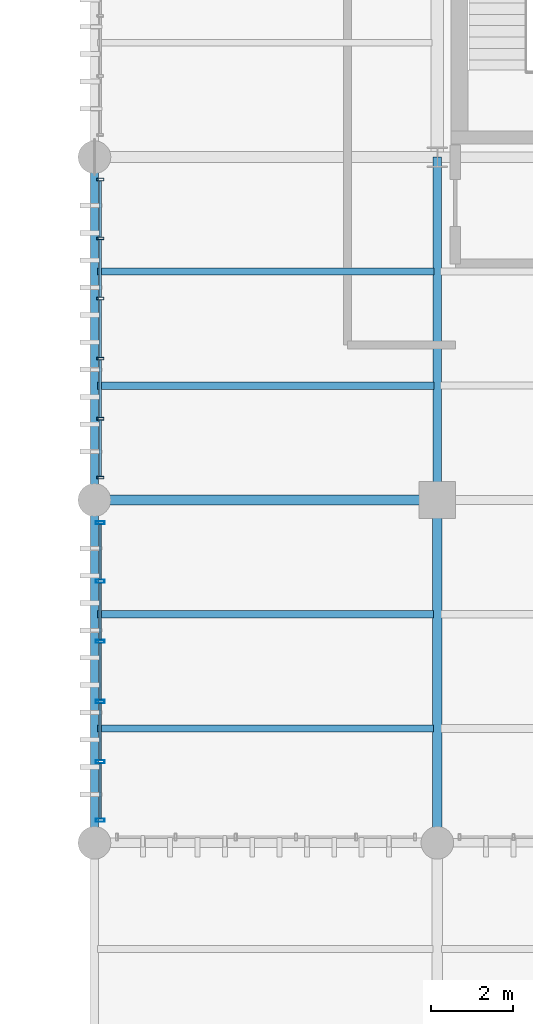
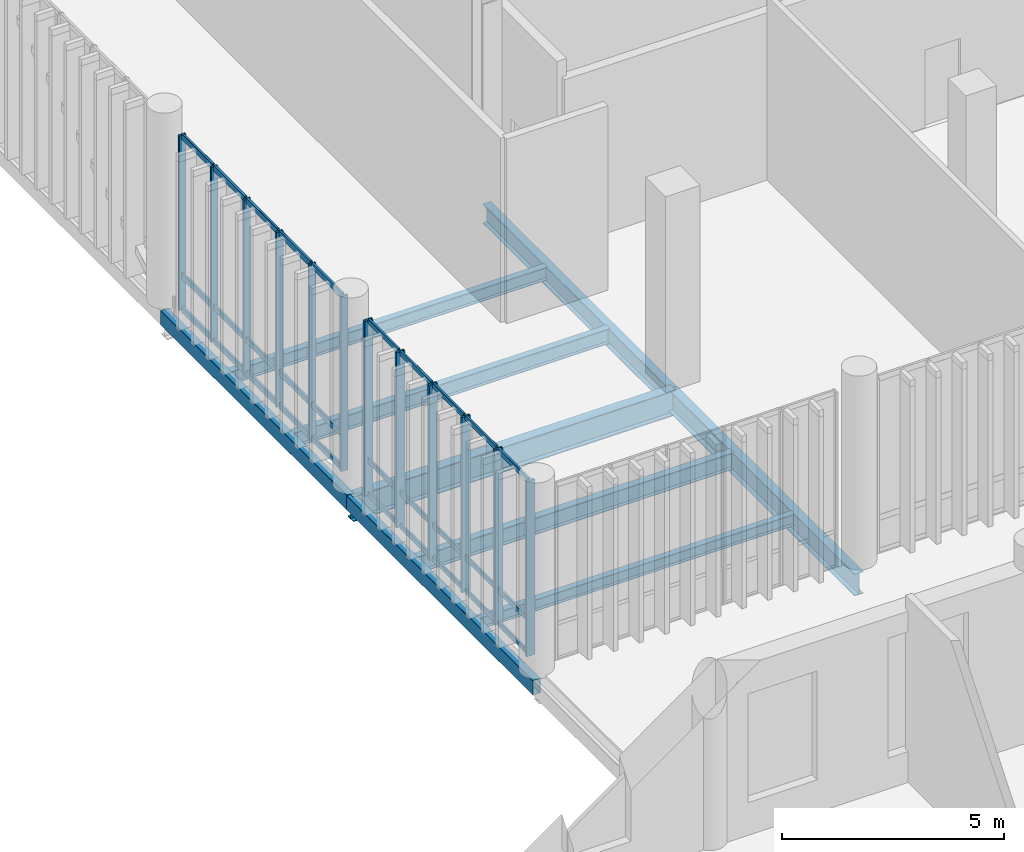
# One storey, part 78 of 128: 42 members, 9 beams, 2 elements without a shape of their own.
"""IFC4 building model written with IfcOpenShell, lengths in metres."""

from ifc_helpers import new_model, si_unit, direction, frame, origin_with_axes, origin_2d_with_axis, place, context, subcontext, project, spatial, hollow_rectangle, i_section, extrude, material, material_profile, profile_set, type_object, element, aggregate, save


model = new_model("IFC4")

# Units and contexts
model_context = context("Model", 3, precision=1e-05, world=origin_with_axes(), true_north=direction((0.0, 1.0)))
body_context = subcontext(model_context, "Body", "Model", "MODEL_VIEW")
ifc_project = project(units=[si_unit("LENGTHUNIT", "METRE"), si_unit("AREAUNIT", "SQUARE_METRE"), si_unit("VOLUMEUNIT", "CUBIC_METRE"), si_unit("PLANEANGLEUNIT", "RADIAN"), si_unit("MASSUNIT", "GRAM", prefix="KILO"), si_unit("THERMODYNAMICTEMPERATUREUNIT", "KELVIN")], contexts=[model_context])

# Site, building, storey
site_placement = place(None, origin_with_axes())
site = spatial("IfcSite", under=ifc_project, at=site_placement, CompositionType="ELEMENT")
building_placement = place(site_placement, origin_with_axes())
building = spatial("IfcBuilding", under=site, at=building_placement, Name="Montbau Bow Law Courts", CompositionType="ELEMENT")
storey_placement = place(building_placement, frame((0.0, 0.0, 5.4), z_axis=(0.0, 0.0, 1.0), x_axis=(1.0, 0.0, 0.0)))
storey = spatial("IfcBuildingStorey", under=building, at=storey_placement, Name="L01", CompositionType="ELEMENT", Elevation=5.4)

# Beams
ifc_material_1 = material(Name="Steel CSA G40.21 Grade 350W (350 MPa)", Category="steel")
ifc_material_profile_1 = material_profile(ifc_material_1, i_section(OverallWidth=0.254, OverallDepth=0.688, WebThickness=0.0131, FlangeThickness=0.0211, at=origin_2d_with_axis()), Name="W690X152", Category="Main", Priority=0)
ifc_profile_set_1 = profile_set([ifc_material_profile_1], Name="Steel CSA G40.21 Grade 350W (350 MPa)")
beam_type_1 = type_object("IfcBeamType", Name="B-FLR-04", PredefinedType="BEAM", material=ifc_profile_set_1)
beam_1_placement = place(None, frame((138.6, 78.0, 4.776), z_axis=(1.0, 0.0, 0.0), x_axis=(0.0, 1.0, 0.0)))
element("IfcBeam", 1, at=beam_1_placement, inside=storey, type_object=beam_type_1, Name="BM-L01-S1106:bm2_1109", PredefinedType="BEAM", context=body_context, shape_type="SweptSolid", body=[
    extrude(i_section(OverallWidth=0.254, OverallDepth=0.688, WebThickness=0.0131, FlangeThickness=0.0211, at=origin_2d_with_axis()), origin_with_axes(), (0.0, 0.0, 1.0), 8.4),
])
ifc_material_profile_2 = material_profile(ifc_material_1, i_section(OverallWidth=0.229, OverallDepth=0.612, WebThickness=0.0119, FlangeThickness=0.0196, at=origin_2d_with_axis()), Name="W610X125", Category="Main", Priority=0)
ifc_profile_set_2 = profile_set([ifc_material_profile_2], Name="Steel CSA G40.21 Grade 350W (350 MPa)")
beam_type_2 = type_object("IfcBeamType", Name="B-FLR-05", PredefinedType="BEAM", material=ifc_profile_set_2)
beam_2_placement = place(None, frame((147.0, 69.6, 4.804), z_axis=(0.0, 1.0, 0.0), x_axis=(-1.0, 0.0, 0.0)))
element("IfcBeam", 2, at=beam_2_placement, inside=storey, type_object=beam_type_2, Name="BM-L01-S1138:bm2_1141", PredefinedType="BEAM", context=body_context, shape_type="SweptSolid", body=[
    extrude(i_section(OverallWidth=0.229, OverallDepth=0.612, WebThickness=0.0119, FlangeThickness=0.0196, at=origin_2d_with_axis()), origin_with_axes(), (0.0, 0.0, 1.0), 8.4),
])
ifc_material_profile_3 = material_profile(ifc_material_1, i_section(OverallWidth=0.21, OverallDepth=0.537, WebThickness=0.0109, FlangeThickness=0.0174, at=origin_2d_with_axis()), Name="W530X101", Category="Main", Priority=0)
ifc_profile_set_3 = profile_set([ifc_material_profile_3], Name="Steel CSA G40.21 Grade 350W (350 MPa)")
beam_type_3 = type_object("IfcBeamType", Name="B-FLR-06", PredefinedType="BEAM", material=ifc_profile_set_3)
beam_3_placement = place(None, frame((147.0, 78.0, 4.851), z_axis=(0.0, 1.0, 0.0), x_axis=(-1.0, 0.0, 0.0)))
element("IfcBeam", 3, at=beam_3_placement, inside=storey, type_object=beam_type_3, Name="BM-L01-S1139:bm2_1142", PredefinedType="BEAM", context=body_context, shape_type="SweptSolid", body=[
    extrude(i_section(OverallWidth=0.21, OverallDepth=0.537, WebThickness=0.0109, FlangeThickness=0.0174, at=origin_2d_with_axis()), origin_with_axes(), (0.0, 0.0, 1.0), 8.4),
])
ifc_material_profile_4 = material_profile(ifc_material_1, i_section(OverallWidth=0.191, OverallDepth=0.46, WebThickness=0.0099, FlangeThickness=0.016, at=origin_2d_with_axis()), Name="W460X82", Category="Main", Priority=0)
ifc_profile_set_4 = profile_set([ifc_material_profile_4], Name="Steel CSA G40.21 Grade 350W (350 MPa)")
beam_type_4 = type_object("IfcBeamType", Name="B-JST-01", PredefinedType="JOIST", material=ifc_profile_set_4)
beam_4_placement = place(None, frame((138.68, 75.2, 4.88), z_axis=(1.0, 0.0, 0.0), x_axis=(0.0, 1.0, 0.0)))
element("IfcBeam", 4, at=beam_4_placement, inside=storey, type_object=beam_type_4, Name="JST-L01-S0564:jst2_0564", PredefinedType="JOIST", context=body_context, shape_type="SweptSolid", body=[
    extrude(i_section(OverallWidth=0.191, OverallDepth=0.46, WebThickness=0.0099, FlangeThickness=0.016, at=origin_2d_with_axis()), origin_with_axes(), (0.0, 0.0, 1.0), 8.23),
])
ifc_material_profile_5 = material_profile(ifc_material_1, i_section(OverallWidth=0.179, OverallDepth=0.41, WebThickness=0.0088, FlangeThickness=0.0144, at=origin_2d_with_axis()), Name="W410X67", Category="Main", Priority=0)
ifc_profile_set_5 = profile_set([ifc_material_profile_5], Name="Steel CSA G40.21 Grade 350W (350 MPa)")
beam_type_5 = type_object("IfcBeamType", Name="B-JST-02", PredefinedType="JOIST", material=ifc_profile_set_5)
beam_5_placement = place(None, frame((138.68, 80.8, 4.915), z_axis=(1.0, 0.0, 0.0), x_axis=(0.0, 1.0, 0.0)))
element("IfcBeam", 5, at=beam_5_placement, inside=storey, type_object=beam_type_5, Name="JST-L01-S0565:jst2_0565", PredefinedType="JOIST", context=body_context, shape_type="SweptSolid", body=[
    extrude(i_section(OverallWidth=0.179, OverallDepth=0.41, WebThickness=0.0088, FlangeThickness=0.0144, at=origin_2d_with_axis()), origin_with_axes(), (0.0, 0.0, 1.0), 8.239),
])
ifc_material_profile_6 = material_profile(ifc_material_1, i_section(OverallWidth=0.172, OverallDepth=0.358, WebThickness=0.0079, FlangeThickness=0.0131, at=origin_2d_with_axis()), Name="W360X57", Category="Main", Priority=0)
ifc_profile_set_6 = profile_set([ifc_material_profile_6], Name="Steel CSA G40.21 Grade 350W (350 MPa)")
beam_type_6 = type_object("IfcBeamType", Name="B-JST-03", PredefinedType="JOIST", material=ifc_profile_set_6)
beam_6_placement = place(None, frame((138.68, 83.6, 4.941), z_axis=(1.0, 0.0, 0.0), x_axis=(0.0, 1.0, 0.0)))
element("IfcBeam", 6, at=beam_6_placement, inside=storey, type_object=beam_type_6, Name="JST-L01-S0566:jst2_0566", PredefinedType="JOIST", context=body_context, shape_type="SweptSolid", body=[
    extrude(i_section(OverallWidth=0.172, OverallDepth=0.358, WebThickness=0.0079, FlangeThickness=0.0131, at=origin_2d_with_axis()), origin_with_axes(), (0.0, 0.0, 1.0), 8.239),
])
ifc_material_profile_7 = material_profile(ifc_material_1, i_section(OverallWidth=0.166, OverallDepth=0.313, WebThickness=0.0066, FlangeThickness=0.0112, at=origin_2d_with_axis()), Name="W310X45", Category="Main", Priority=0)
ifc_profile_set_7 = profile_set([ifc_material_profile_7], Name="Steel CSA G40.21 Grade 350W (350 MPa)")
beam_type_7 = type_object("IfcBeamType", Name="B-JST-04", PredefinedType="JOIST", material=ifc_profile_set_7)
beam_7_placement = place(None, frame((138.68, 72.4, 4.954), z_axis=(1.0, 0.0, 0.0), x_axis=(0.0, 1.0, 0.0)))
element("IfcBeam", 7, at=beam_7_placement, inside=storey, type_object=beam_type_7, Name="JST-L01-S0563:jst2_0563", PredefinedType="JOIST", context=body_context, shape_type="SweptSolid", body=[
    extrude(i_section(OverallWidth=0.166, OverallDepth=0.313, WebThickness=0.0066, FlangeThickness=0.0112, at=origin_2d_with_axis()), origin_with_axes(), (0.0, 0.0, 1.0), 8.23),
])
ifc_material_2 = material(Name="Steel CSA G40.21 Grade 350WT (350 MPa)", Category="steel")
ifc_material_profile_8 = material_profile(ifc_material_2, hollow_rectangle(XDim=0.203, YDim=0.406, WallThickness=0.0127, InnerFilletRadius=0.0254, OuterFilletRadius=0.0127, at=origin_2d_with_axis()), Name="HSS406X203X13", Category="Main", Priority=0)
ifc_profile_set_8 = profile_set([ifc_material_profile_8], Name="Steel CSA G40.21 Grade 350WT (350 MPa)")
beam_type_8 = type_object("IfcBeamType", Name="B-SPN-01", PredefinedType="SPANDREL", material=ifc_profile_set_8)
for number, where, z_axis, x_axis, name in (
    (8, (138.6, 69.6, 4.907), (0.0, 1.0, 0.0), (-1.0, 0.0, 0.0), "SPN-L01-S1131:bm2_1134"),
    (9, (138.6, 78.0, 4.917), (0.0, 1.0, 0.0), (-1.0, 0.0, 0.0), "SPN-L01-S1132:bm2_1135"),
):
    element("IfcBeam", number, at=place(None, frame(where, z_axis=z_axis, x_axis=x_axis)), inside=storey, type_object=beam_type_8, Name=name, PredefinedType="SPANDREL", context=body_context, shape_type="SweptSolid", body=[
        extrude(hollow_rectangle(XDim=0.203, YDim=0.406, WallThickness=0.0127, InnerFilletRadius=0.0254, OuterFilletRadius=0.0127, at=origin_2d_with_axis()), origin_with_axes(), (0.0, 0.0, 1.0), 8.4),
    ])

# Curtain wall, members
ifc_material_3 = material(Name="Thermally Broken Extruded Aluminium AA 6063-T6", Category="aluminium")
curtain_wall_type = type_object("IfcCurtainWallType", Name="CW-SLT-01", PredefinedType="NOTDEFINED", material=ifc_material_3)
curtain_wall_1_placement = place(None, frame((138.74, 70.115, 5.4), z_axis=(0.0, 0.0, 1.0), x_axis=(1.0, 0.0, 0.0)))
curtain_wall_1 = element("IfcCurtainWall", 10, at=curtain_wall_1_placement, inside=storey, type_object=curtain_wall_type, Name="CW-L01-285:cw_0285", PredefinedType="NOTDEFINED")
ifc_material_profile_9 = material_profile(ifc_material_3, hollow_rectangle(XDim=0.075, YDim=0.22, WallThickness=0.005, InnerFilletRadius=0.01, OuterFilletRadius=0.005, at=origin_2d_with_axis()), Name="CWM-220X75", Category="Main", Priority=0)
ifc_profile_set_9 = profile_set([ifc_material_profile_9], Name="Thermally Broken Extruded Aluminium AA 6063-T6")
member_type_1 = type_object("IfcMemberType", Name="M-MUL-01", PredefinedType="MULLION", material=ifc_profile_set_9)
member_1_placement = place(None, frame((138.74, 70.152, 5.4), z_axis=(0.0, 0.0, 1.0), x_axis=(0.0, 1.0, 0.0)))
member_1 = element("IfcMember", 11, at=member_1_placement, type_object=member_type_1, Name="CW-L01-285-M01:cw_0285_M01", PredefinedType="MULLION", context=body_context, shape_type="SweptSolid", body=[
    extrude(hollow_rectangle(XDim=0.075, YDim=0.22, WallThickness=0.005, InnerFilletRadius=0.01, OuterFilletRadius=0.005, at=origin_2d_with_axis()), origin_with_axes(), (0.0, 0.0, 1.0), 4.82),
])
member_2_placement = place(None, frame((138.74, 71.589, 5.4), z_axis=(0.0, 0.0, 1.0), x_axis=(0.0, 1.0, 0.0)))
member_2 = element("IfcMember", 12, at=member_2_placement, type_object=member_type_1, Name="CW-L01-285-M02:cw_0285_M02", PredefinedType="MULLION", context=body_context, shape_type="SweptSolid", body=[
    extrude(hollow_rectangle(XDim=0.075, YDim=0.22, WallThickness=0.005, InnerFilletRadius=0.01, OuterFilletRadius=0.005, at=origin_2d_with_axis()), origin_with_axes(), (0.0, 0.0, 1.0), 4.82),
])
member_3_placement = place(None, frame((138.74, 73.063, 5.4), z_axis=(0.0, 0.0, 1.0), x_axis=(0.0, 1.0, 0.0)))
member_3 = element("IfcMember", 13, at=member_3_placement, type_object=member_type_1, Name="CW-L01-285-M03:cw_0285_M03", PredefinedType="MULLION", context=body_context, shape_type="SweptSolid", body=[
    extrude(hollow_rectangle(XDim=0.075, YDim=0.22, WallThickness=0.005, InnerFilletRadius=0.01, OuterFilletRadius=0.005, at=origin_2d_with_axis()), origin_with_axes(), (0.0, 0.0, 1.0), 4.82),
])
member_4_placement = place(None, frame((138.74, 74.537, 5.4), z_axis=(0.0, 0.0, 1.0), x_axis=(0.0, 1.0, 0.0)))
member_4 = element("IfcMember", 14, at=member_4_placement, type_object=member_type_1, Name="CW-L01-285-M04:cw_0285_M04", PredefinedType="MULLION", context=body_context, shape_type="SweptSolid", body=[
    extrude(hollow_rectangle(XDim=0.075, YDim=0.22, WallThickness=0.005, InnerFilletRadius=0.01, OuterFilletRadius=0.005, at=origin_2d_with_axis()), origin_with_axes(), (0.0, 0.0, 1.0), 4.82),
])
member_5_placement = place(None, frame((138.74, 76.011, 5.4), z_axis=(0.0, 0.0, 1.0), x_axis=(0.0, 1.0, 0.0)))
member_5 = element("IfcMember", 15, at=member_5_placement, type_object=member_type_1, Name="CW-L01-285-M05:cw_0285_M05", PredefinedType="MULLION", context=body_context, shape_type="SweptSolid", body=[
    extrude(hollow_rectangle(XDim=0.075, YDim=0.22, WallThickness=0.005, InnerFilletRadius=0.01, OuterFilletRadius=0.005, at=origin_2d_with_axis()), origin_with_axes(), (0.0, 0.0, 1.0), 4.82),
])
member_6_placement = place(None, frame((138.74, 77.448, 5.4), z_axis=(0.0, 0.0, 1.0), x_axis=(0.0, 1.0, 0.0)))
member_6 = element("IfcMember", 16, at=member_6_placement, type_object=member_type_1, Name="CW-L01-285-M06:cw_0285_M06", PredefinedType="MULLION", context=body_context, shape_type="SweptSolid", body=[
    extrude(hollow_rectangle(XDim=0.075, YDim=0.22, WallThickness=0.005, InnerFilletRadius=0.01, OuterFilletRadius=0.005, at=origin_2d_with_axis()), origin_with_axes(), (0.0, 0.0, 1.0), 4.82),
])

curtain_wall_2_placement = place(None, frame((138.74, 78.515, 5.4), z_axis=(0.0, 0.0, 1.0), x_axis=(1.0, 0.0, 0.0)))
curtain_wall_2 = element("IfcCurtainWall", 17, at=curtain_wall_2_placement, inside=storey, type_object=curtain_wall_type, Name="CW-L01-286:cw_0286", PredefinedType="NOTDEFINED")
ifc_material_profile_10 = material_profile(ifc_material_3, hollow_rectangle(XDim=0.065, YDim=0.18, WallThickness=0.005, InnerFilletRadius=0.01, OuterFilletRadius=0.005, at=origin_2d_with_axis()), Name="CWM-180X65", Category="Main", Priority=0)
ifc_profile_set_10 = profile_set([ifc_material_profile_10], Name="Thermally Broken Extruded Aluminium AA 6063-T6")
member_type_2 = type_object("IfcMemberType", Name="M-MUL-02", PredefinedType="MULLION", material=ifc_profile_set_10)
member_7_placement = place(None, frame((138.74, 78.548, 5.4), z_axis=(0.0, 0.0, 1.0), x_axis=(0.0, 1.0, 0.0)))
member_7 = element("IfcMember", 18, at=member_7_placement, type_object=member_type_2, Name="CW-L01-286-M01:cw_0286_M01", PredefinedType="MULLION", context=body_context, shape_type="SweptSolid", body=[
    extrude(hollow_rectangle(XDim=0.065, YDim=0.18, WallThickness=0.005, InnerFilletRadius=0.01, OuterFilletRadius=0.005, at=origin_2d_with_axis()), origin_with_axes(), (0.0, 0.0, 1.0), 4.82),
])
member_8_placement = place(None, frame((138.74, 79.989, 5.4), z_axis=(0.0, 0.0, 1.0), x_axis=(0.0, 1.0, 0.0)))
member_8 = element("IfcMember", 19, at=member_8_placement, type_object=member_type_2, Name="CW-L01-286-M02:cw_0286_M02", PredefinedType="MULLION", context=body_context, shape_type="SweptSolid", body=[
    extrude(hollow_rectangle(XDim=0.065, YDim=0.18, WallThickness=0.005, InnerFilletRadius=0.01, OuterFilletRadius=0.005, at=origin_2d_with_axis()), origin_with_axes(), (0.0, 0.0, 1.0), 4.82),
])
member_9_placement = place(None, frame((138.74, 81.463, 5.4), z_axis=(0.0, 0.0, 1.0), x_axis=(0.0, 1.0, 0.0)))
member_9 = element("IfcMember", 20, at=member_9_placement, type_object=member_type_2, Name="CW-L01-286-M03:cw_0286_M03", PredefinedType="MULLION", context=body_context, shape_type="SweptSolid", body=[
    extrude(hollow_rectangle(XDim=0.065, YDim=0.18, WallThickness=0.005, InnerFilletRadius=0.01, OuterFilletRadius=0.005, at=origin_2d_with_axis()), origin_with_axes(), (0.0, 0.0, 1.0), 4.82),
])
member_10_placement = place(None, frame((138.74, 82.937, 5.4), z_axis=(0.0, 0.0, 1.0), x_axis=(0.0, 1.0, 0.0)))
member_10 = element("IfcMember", 21, at=member_10_placement, type_object=member_type_2, Name="CW-L01-286-M04:cw_0286_M04", PredefinedType="MULLION", context=body_context, shape_type="SweptSolid", body=[
    extrude(hollow_rectangle(XDim=0.065, YDim=0.18, WallThickness=0.005, InnerFilletRadius=0.01, OuterFilletRadius=0.005, at=origin_2d_with_axis()), origin_with_axes(), (0.0, 0.0, 1.0), 4.82),
])
member_11_placement = place(None, frame((138.74, 84.411, 5.4), z_axis=(0.0, 0.0, 1.0), x_axis=(0.0, 1.0, 0.0)))
member_11 = element("IfcMember", 22, at=member_11_placement, type_object=member_type_2, Name="CW-L01-286-M05:cw_0286_M05", PredefinedType="MULLION", context=body_context, shape_type="SweptSolid", body=[
    extrude(hollow_rectangle(XDim=0.065, YDim=0.18, WallThickness=0.005, InnerFilletRadius=0.01, OuterFilletRadius=0.005, at=origin_2d_with_axis()), origin_with_axes(), (0.0, 0.0, 1.0), 4.82),
])
member_12_placement = place(None, frame((138.74, 85.853, 5.4), z_axis=(0.0, 0.0, 1.0), x_axis=(0.0, 1.0, 0.0)))
member_12 = element("IfcMember", 23, at=member_12_placement, type_object=member_type_2, Name="CW-L01-286-M06:cw_0286_M06", PredefinedType="MULLION", context=body_context, shape_type="SweptSolid", body=[
    extrude(hollow_rectangle(XDim=0.065, YDim=0.18, WallThickness=0.005, InnerFilletRadius=0.01, OuterFilletRadius=0.005, at=origin_2d_with_axis()), origin_with_axes(), (0.0, 0.0, 1.0), 4.82),
])
ifc_material_profile_11 = material_profile(ifc_material_3, hollow_rectangle(XDim=0.06, YDim=0.16, WallThickness=0.004, InnerFilletRadius=0.008, OuterFilletRadius=0.004, at=origin_2d_with_axis()), Name="CWT-160X60", Category="Main", Priority=0)
ifc_profile_set_11 = profile_set([ifc_material_profile_11], Name="Thermally Broken Extruded Aluminium AA 6063-T6")
member_type_3 = type_object("IfcMemberType", Name="M-TRN-01", PredefinedType="USERDEFINED", material=ifc_profile_set_11)
member_13_placement = place(None, frame((138.74, 78.583, 5.43), z_axis=(0.0, 1.0, 0.0), x_axis=(-1.0, 0.0, 0.0)))
member_13 = element("IfcMember", 24, at=member_13_placement, type_object=member_type_3, Name="CW-L01-286-T01-1:cw_0286_T01_1", ObjectType="TRANSOM", PredefinedType="USERDEFINED", context=body_context, shape_type="SweptSolid", body=[
    extrude(hollow_rectangle(XDim=0.06, YDim=0.16, WallThickness=0.004, InnerFilletRadius=0.008, OuterFilletRadius=0.004, at=origin_2d_with_axis()), origin_with_axes(), (0.0, 0.0, 1.0), 1.372),
])
member_14_placement = place(None, frame((138.74, 78.583, 6.35), z_axis=(0.0, 1.0, 0.0), x_axis=(-1.0, 0.0, 0.0)))
member_14 = element("IfcMember", 25, at=member_14_placement, type_object=member_type_3, Name="CW-L01-286-T01-2:cw_0286_T01_2", ObjectType="TRANSOM", PredefinedType="USERDEFINED", context=body_context, shape_type="SweptSolid", body=[
    extrude(hollow_rectangle(XDim=0.06, YDim=0.16, WallThickness=0.004, InnerFilletRadius=0.008, OuterFilletRadius=0.004, at=origin_2d_with_axis()), origin_with_axes(), (0.0, 0.0, 1.0), 1.372),
])
member_15_placement = place(None, frame((138.74, 78.583, 10.19), z_axis=(0.0, 1.0, 0.0), x_axis=(-1.0, 0.0, 0.0)))
member_15 = element("IfcMember", 26, at=member_15_placement, type_object=member_type_3, Name="CW-L01-286-T01-3:cw_0286_T01_3", ObjectType="TRANSOM", PredefinedType="USERDEFINED", context=body_context, shape_type="SweptSolid", body=[
    extrude(hollow_rectangle(XDim=0.06, YDim=0.16, WallThickness=0.004, InnerFilletRadius=0.008, OuterFilletRadius=0.004, at=origin_2d_with_axis()), origin_with_axes(), (0.0, 0.0, 1.0), 1.372),
])
member_16_placement = place(None, frame((138.74, 80.023, 5.43), z_axis=(0.0, 1.0, 0.0), x_axis=(-1.0, 0.0, 0.0)))
member_16 = element("IfcMember", 27, at=member_16_placement, type_object=member_type_3, Name="CW-L01-286-T02-1:cw_0286_T02_1", ObjectType="TRANSOM", PredefinedType="USERDEFINED", context=body_context, shape_type="SweptSolid", body=[
    extrude(hollow_rectangle(XDim=0.06, YDim=0.16, WallThickness=0.004, InnerFilletRadius=0.008, OuterFilletRadius=0.004, at=origin_2d_with_axis()), origin_with_axes(), (0.0, 0.0, 1.0), 1.405),
])
member_17_placement = place(None, frame((138.74, 80.023, 6.35), z_axis=(0.0, 1.0, 0.0), x_axis=(-1.0, 0.0, 0.0)))
member_17 = element("IfcMember", 28, at=member_17_placement, type_object=member_type_3, Name="CW-L01-286-T02-2:cw_0286_T02_2", ObjectType="TRANSOM", PredefinedType="USERDEFINED", context=body_context, shape_type="SweptSolid", body=[
    extrude(hollow_rectangle(XDim=0.06, YDim=0.16, WallThickness=0.004, InnerFilletRadius=0.008, OuterFilletRadius=0.004, at=origin_2d_with_axis()), origin_with_axes(), (0.0, 0.0, 1.0), 1.405),
])
member_18_placement = place(None, frame((138.74, 80.023, 10.19), z_axis=(0.0, 1.0, 0.0), x_axis=(-1.0, 0.0, 0.0)))
member_18 = element("IfcMember", 29, at=member_18_placement, type_object=member_type_3, Name="CW-L01-286-T02-3:cw_0286_T02_3", ObjectType="TRANSOM", PredefinedType="USERDEFINED", context=body_context, shape_type="SweptSolid", body=[
    extrude(hollow_rectangle(XDim=0.06, YDim=0.16, WallThickness=0.004, InnerFilletRadius=0.008, OuterFilletRadius=0.004, at=origin_2d_with_axis()), origin_with_axes(), (0.0, 0.0, 1.0), 1.405),
])
member_19_placement = place(None, frame((138.74, 81.497, 5.43), z_axis=(0.0, 1.0, 0.0), x_axis=(-1.0, 0.0, 0.0)))
member_19 = element("IfcMember", 30, at=member_19_placement, type_object=member_type_3, Name="CW-L01-286-T03-1:cw_0286_T03_1", ObjectType="TRANSOM", PredefinedType="USERDEFINED", context=body_context, shape_type="SweptSolid", body=[
    extrude(hollow_rectangle(XDim=0.06, YDim=0.16, WallThickness=0.004, InnerFilletRadius=0.008, OuterFilletRadius=0.004, at=origin_2d_with_axis()), origin_with_axes(), (0.0, 0.0, 1.0), 1.406),
])
member_20_placement = place(None, frame((138.74, 81.497, 6.35), z_axis=(0.0, 1.0, 0.0), x_axis=(-1.0, 0.0, 0.0)))
member_20 = element("IfcMember", 31, at=member_20_placement, type_object=member_type_3, Name="CW-L01-286-T03-2:cw_0286_T03_2", ObjectType="TRANSOM", PredefinedType="USERDEFINED", context=body_context, shape_type="SweptSolid", body=[
    extrude(hollow_rectangle(XDim=0.06, YDim=0.16, WallThickness=0.004, InnerFilletRadius=0.008, OuterFilletRadius=0.004, at=origin_2d_with_axis()), origin_with_axes(), (0.0, 0.0, 1.0), 1.406),
])
member_21_placement = place(None, frame((138.74, 81.497, 10.19), z_axis=(0.0, 1.0, 0.0), x_axis=(-1.0, 0.0, 0.0)))
member_21 = element("IfcMember", 32, at=member_21_placement, type_object=member_type_3, Name="CW-L01-286-T03-3:cw_0286_T03_3", ObjectType="TRANSOM", PredefinedType="USERDEFINED", context=body_context, shape_type="SweptSolid", body=[
    extrude(hollow_rectangle(XDim=0.06, YDim=0.16, WallThickness=0.004, InnerFilletRadius=0.008, OuterFilletRadius=0.004, at=origin_2d_with_axis()), origin_with_axes(), (0.0, 0.0, 1.0), 1.406),
])
member_22_placement = place(None, frame((138.74, 82.971, 5.43), z_axis=(0.0, 1.0, 0.0), x_axis=(-1.0, 0.0, 0.0)))
member_22 = element("IfcMember", 33, at=member_22_placement, type_object=member_type_3, Name="CW-L01-286-T04-1:cw_0286_T04_1", ObjectType="TRANSOM", PredefinedType="USERDEFINED", context=body_context, shape_type="SweptSolid", body=[
    extrude(hollow_rectangle(XDim=0.06, YDim=0.16, WallThickness=0.004, InnerFilletRadius=0.008, OuterFilletRadius=0.004, at=origin_2d_with_axis()), origin_with_axes(), (0.0, 0.0, 1.0), 1.406),
])
member_23_placement = place(None, frame((138.74, 82.971, 6.35), z_axis=(0.0, 1.0, 0.0), x_axis=(-1.0, 0.0, 0.0)))
member_23 = element("IfcMember", 34, at=member_23_placement, type_object=member_type_3, Name="CW-L01-286-T04-2:cw_0286_T04_2", ObjectType="TRANSOM", PredefinedType="USERDEFINED", context=body_context, shape_type="SweptSolid", body=[
    extrude(hollow_rectangle(XDim=0.06, YDim=0.16, WallThickness=0.004, InnerFilletRadius=0.008, OuterFilletRadius=0.004, at=origin_2d_with_axis()), origin_with_axes(), (0.0, 0.0, 1.0), 1.406),
])
member_24_placement = place(None, frame((138.74, 82.971, 10.19), z_axis=(0.0, 1.0, 0.0), x_axis=(-1.0, 0.0, 0.0)))
member_24 = element("IfcMember", 35, at=member_24_placement, type_object=member_type_3, Name="CW-L01-286-T04-3:cw_0286_T04_3", ObjectType="TRANSOM", PredefinedType="USERDEFINED", context=body_context, shape_type="SweptSolid", body=[
    extrude(hollow_rectangle(XDim=0.06, YDim=0.16, WallThickness=0.004, InnerFilletRadius=0.008, OuterFilletRadius=0.004, at=origin_2d_with_axis()), origin_with_axes(), (0.0, 0.0, 1.0), 1.406),
])
member_25_placement = place(None, frame((138.74, 84.445, 5.43), z_axis=(0.0, 1.0, 0.0), x_axis=(-1.0, 0.0, 0.0)))
member_25 = element("IfcMember", 36, at=member_25_placement, type_object=member_type_3, Name="CW-L01-286-T05-1:cw_0286_T05_1", ObjectType="TRANSOM", PredefinedType="USERDEFINED", context=body_context, shape_type="SweptSolid", body=[
    extrude(hollow_rectangle(XDim=0.06, YDim=0.16, WallThickness=0.004, InnerFilletRadius=0.008, OuterFilletRadius=0.004, at=origin_2d_with_axis()), origin_with_axes(), (0.0, 0.0, 1.0), 1.374),
])
member_26_placement = place(None, frame((138.74, 84.445, 6.35), z_axis=(0.0, 1.0, 0.0), x_axis=(-1.0, 0.0, 0.0)))
member_26 = element("IfcMember", 37, at=member_26_placement, type_object=member_type_3, Name="CW-L01-286-T05-2:cw_0286_T05_2", ObjectType="TRANSOM", PredefinedType="USERDEFINED", context=body_context, shape_type="SweptSolid", body=[
    extrude(hollow_rectangle(XDim=0.06, YDim=0.16, WallThickness=0.004, InnerFilletRadius=0.008, OuterFilletRadius=0.004, at=origin_2d_with_axis()), origin_with_axes(), (0.0, 0.0, 1.0), 1.374),
])
member_27_placement = place(None, frame((138.74, 84.445, 10.19), z_axis=(0.0, 1.0, 0.0), x_axis=(-1.0, 0.0, 0.0)))
member_27 = element("IfcMember", 38, at=member_27_placement, type_object=member_type_3, Name="CW-L01-286-T05-3:cw_0286_T05_3", ObjectType="TRANSOM", PredefinedType="USERDEFINED", context=body_context, shape_type="SweptSolid", body=[
    extrude(hollow_rectangle(XDim=0.06, YDim=0.16, WallThickness=0.004, InnerFilletRadius=0.008, OuterFilletRadius=0.004, at=origin_2d_with_axis()), origin_with_axes(), (0.0, 0.0, 1.0), 1.374),
])
aggregate(curtain_wall_2, [member_7, member_8, member_9, member_10, member_11, member_12, member_13, member_14, member_15, member_16, member_17, member_18, member_19, member_20, member_21, member_22, member_23, member_24, member_25, member_26, member_27])

# Member
ifc_material_profile_12 = material_profile(ifc_material_3, hollow_rectangle(XDim=0.055, YDim=0.14, WallThickness=0.004, InnerFilletRadius=0.008, OuterFilletRadius=0.004, at=origin_2d_with_axis()), Name="CWT-140X55", Category="Main", Priority=0)
ifc_profile_set_12 = profile_set([ifc_material_profile_12], Name="Thermally Broken Extruded Aluminium AA 6063-T6")
member_type_4 = type_object("IfcMemberType", Name="M-TRN-02", PredefinedType="USERDEFINED", material=ifc_profile_set_12)
member_28_placement = place(None, frame((138.74, 70.191, 5.428), z_axis=(0.0, 1.0, 0.0), x_axis=(-1.0, 0.0, 0.0)))
member_28 = element("IfcMember", 39, at=member_28_placement, type_object=member_type_4, Name="CW-L01-285-T01-1:cw_0285_T01_1", ObjectType="TRANSOM", PredefinedType="USERDEFINED", context=body_context, shape_type="SweptSolid", body=[
    extrude(hollow_rectangle(XDim=0.055, YDim=0.14, WallThickness=0.004, InnerFilletRadius=0.008, OuterFilletRadius=0.004, at=origin_2d_with_axis()), origin_with_axes(), (0.0, 0.0, 1.0), 1.358),
])

member_29_placement = place(None, frame((138.74, 70.191, 6.35), z_axis=(0.0, 1.0, 0.0), x_axis=(-1.0, 0.0, 0.0)))
member_29 = element("IfcMember", 40, at=member_29_placement, type_object=member_type_4, Name="CW-L01-285-T01-2:cw_0285_T01_2", ObjectType="TRANSOM", PredefinedType="USERDEFINED", context=body_context, shape_type="SweptSolid", body=[
    extrude(hollow_rectangle(XDim=0.055, YDim=0.14, WallThickness=0.004, InnerFilletRadius=0.008, OuterFilletRadius=0.004, at=origin_2d_with_axis()), origin_with_axes(), (0.0, 0.0, 1.0), 1.358),
])

member_30_placement = place(None, frame((138.74, 70.191, 10.193), z_axis=(0.0, 1.0, 0.0), x_axis=(-1.0, 0.0, 0.0)))
member_30 = element("IfcMember", 41, at=member_30_placement, type_object=member_type_4, Name="CW-L01-285-T01-3:cw_0285_T01_3", ObjectType="TRANSOM", PredefinedType="USERDEFINED", context=body_context, shape_type="SweptSolid", body=[
    extrude(hollow_rectangle(XDim=0.055, YDim=0.14, WallThickness=0.004, InnerFilletRadius=0.008, OuterFilletRadius=0.004, at=origin_2d_with_axis()), origin_with_axes(), (0.0, 0.0, 1.0), 1.358),
])

member_31_placement = place(None, frame((138.74, 71.629, 5.428), z_axis=(0.0, 1.0, 0.0), x_axis=(-1.0, 0.0, 0.0)))
member_31 = element("IfcMember", 42, at=member_31_placement, type_object=member_type_4, Name="CW-L01-285-T02-1:cw_0285_T02_1", ObjectType="TRANSOM", PredefinedType="USERDEFINED", context=body_context, shape_type="SweptSolid", body=[
    extrude(hollow_rectangle(XDim=0.055, YDim=0.14, WallThickness=0.004, InnerFilletRadius=0.008, OuterFilletRadius=0.004, at=origin_2d_with_axis()), origin_with_axes(), (0.0, 0.0, 1.0), 1.395),
])

member_32_placement = place(None, frame((138.74, 71.629, 6.35), z_axis=(0.0, 1.0, 0.0), x_axis=(-1.0, 0.0, 0.0)))
member_32 = element("IfcMember", 43, at=member_32_placement, type_object=member_type_4, Name="CW-L01-285-T02-2:cw_0285_T02_2", ObjectType="TRANSOM", PredefinedType="USERDEFINED", context=body_context, shape_type="SweptSolid", body=[
    extrude(hollow_rectangle(XDim=0.055, YDim=0.14, WallThickness=0.004, InnerFilletRadius=0.008, OuterFilletRadius=0.004, at=origin_2d_with_axis()), origin_with_axes(), (0.0, 0.0, 1.0), 1.395),
])

member_33_placement = place(None, frame((138.74, 71.629, 10.193), z_axis=(0.0, 1.0, 0.0), x_axis=(-1.0, 0.0, 0.0)))
member_33 = element("IfcMember", 44, at=member_33_placement, type_object=member_type_4, Name="CW-L01-285-T02-3:cw_0285_T02_3", ObjectType="TRANSOM", PredefinedType="USERDEFINED", context=body_context, shape_type="SweptSolid", body=[
    extrude(hollow_rectangle(XDim=0.055, YDim=0.14, WallThickness=0.004, InnerFilletRadius=0.008, OuterFilletRadius=0.004, at=origin_2d_with_axis()), origin_with_axes(), (0.0, 0.0, 1.0), 1.395),
])

member_34_placement = place(None, frame((138.74, 73.102, 5.428), z_axis=(0.0, 1.0, 0.0), x_axis=(-1.0, 0.0, 0.0)))
member_34 = element("IfcMember", 45, at=member_34_placement, type_object=member_type_4, Name="CW-L01-285-T03-1:cw_0285_T03_1", ObjectType="TRANSOM", PredefinedType="USERDEFINED", context=body_context, shape_type="SweptSolid", body=[
    extrude(hollow_rectangle(XDim=0.055, YDim=0.14, WallThickness=0.004, InnerFilletRadius=0.008, OuterFilletRadius=0.004, at=origin_2d_with_axis()), origin_with_axes(), (0.0, 0.0, 1.0), 1.396),
])

member_35_placement = place(None, frame((138.74, 73.102, 6.35), z_axis=(0.0, 1.0, 0.0), x_axis=(-1.0, 0.0, 0.0)))
member_35 = element("IfcMember", 46, at=member_35_placement, type_object=member_type_4, Name="CW-L01-285-T03-2:cw_0285_T03_2", ObjectType="TRANSOM", PredefinedType="USERDEFINED", context=body_context, shape_type="SweptSolid", body=[
    extrude(hollow_rectangle(XDim=0.055, YDim=0.14, WallThickness=0.004, InnerFilletRadius=0.008, OuterFilletRadius=0.004, at=origin_2d_with_axis()), origin_with_axes(), (0.0, 0.0, 1.0), 1.396),
])

member_36_placement = place(None, frame((138.74, 73.102, 10.193), z_axis=(0.0, 1.0, 0.0), x_axis=(-1.0, 0.0, 0.0)))
member_36 = element("IfcMember", 47, at=member_36_placement, type_object=member_type_4, Name="CW-L01-285-T03-3:cw_0285_T03_3", ObjectType="TRANSOM", PredefinedType="USERDEFINED", context=body_context, shape_type="SweptSolid", body=[
    extrude(hollow_rectangle(XDim=0.055, YDim=0.14, WallThickness=0.004, InnerFilletRadius=0.008, OuterFilletRadius=0.004, at=origin_2d_with_axis()), origin_with_axes(), (0.0, 0.0, 1.0), 1.396),
])

member_37_placement = place(None, frame((138.74, 74.576, 5.428), z_axis=(0.0, 1.0, 0.0), x_axis=(-1.0, 0.0, 0.0)))
member_37 = element("IfcMember", 48, at=member_37_placement, type_object=member_type_4, Name="CW-L01-285-T04-1:cw_0285_T04_1", ObjectType="TRANSOM", PredefinedType="USERDEFINED", context=body_context, shape_type="SweptSolid", body=[
    extrude(hollow_rectangle(XDim=0.055, YDim=0.14, WallThickness=0.004, InnerFilletRadius=0.008, OuterFilletRadius=0.004, at=origin_2d_with_axis()), origin_with_axes(), (0.0, 0.0, 1.0), 1.396),
])

member_38_placement = place(None, frame((138.74, 74.576, 6.35), z_axis=(0.0, 1.0, 0.0), x_axis=(-1.0, 0.0, 0.0)))
member_38 = element("IfcMember", 49, at=member_38_placement, type_object=member_type_4, Name="CW-L01-285-T04-2:cw_0285_T04_2", ObjectType="TRANSOM", PredefinedType="USERDEFINED", context=body_context, shape_type="SweptSolid", body=[
    extrude(hollow_rectangle(XDim=0.055, YDim=0.14, WallThickness=0.004, InnerFilletRadius=0.008, OuterFilletRadius=0.004, at=origin_2d_with_axis()), origin_with_axes(), (0.0, 0.0, 1.0), 1.396),
])

member_39_placement = place(None, frame((138.74, 74.576, 10.193), z_axis=(0.0, 1.0, 0.0), x_axis=(-1.0, 0.0, 0.0)))
member_39 = element("IfcMember", 50, at=member_39_placement, type_object=member_type_4, Name="CW-L01-285-T04-3:cw_0285_T04_3", ObjectType="TRANSOM", PredefinedType="USERDEFINED", context=body_context, shape_type="SweptSolid", body=[
    extrude(hollow_rectangle(XDim=0.055, YDim=0.14, WallThickness=0.004, InnerFilletRadius=0.008, OuterFilletRadius=0.004, at=origin_2d_with_axis()), origin_with_axes(), (0.0, 0.0, 1.0), 1.396),
])

member_40_placement = place(None, frame((138.74, 76.05, 5.428), z_axis=(0.0, 1.0, 0.0), x_axis=(-1.0, 0.0, 0.0)))
member_40 = element("IfcMember", 51, at=member_40_placement, type_object=member_type_4, Name="CW-L01-285-T05-1:cw_0285_T05_1", ObjectType="TRANSOM", PredefinedType="USERDEFINED", context=body_context, shape_type="SweptSolid", body=[
    extrude(hollow_rectangle(XDim=0.055, YDim=0.14, WallThickness=0.004, InnerFilletRadius=0.008, OuterFilletRadius=0.004, at=origin_2d_with_axis()), origin_with_axes(), (0.0, 0.0, 1.0), 1.359),
])

member_41_placement = place(None, frame((138.74, 76.05, 6.35), z_axis=(0.0, 1.0, 0.0), x_axis=(-1.0, 0.0, 0.0)))
member_41 = element("IfcMember", 52, at=member_41_placement, type_object=member_type_4, Name="CW-L01-285-T05-2:cw_0285_T05_2", ObjectType="TRANSOM", PredefinedType="USERDEFINED", context=body_context, shape_type="SweptSolid", body=[
    extrude(hollow_rectangle(XDim=0.055, YDim=0.14, WallThickness=0.004, InnerFilletRadius=0.008, OuterFilletRadius=0.004, at=origin_2d_with_axis()), origin_with_axes(), (0.0, 0.0, 1.0), 1.359),
])

member_42_placement = place(None, frame((138.74, 76.05, 10.193), z_axis=(0.0, 1.0, 0.0), x_axis=(-1.0, 0.0, 0.0)))
member_42 = element("IfcMember", 53, at=member_42_placement, type_object=member_type_4, Name="CW-L01-285-T05-3:cw_0285_T05_3", ObjectType="TRANSOM", PredefinedType="USERDEFINED", context=body_context, shape_type="SweptSolid", body=[
    extrude(hollow_rectangle(XDim=0.055, YDim=0.14, WallThickness=0.004, InnerFilletRadius=0.008, OuterFilletRadius=0.004, at=origin_2d_with_axis()), origin_with_axes(), (0.0, 0.0, 1.0), 1.359),
])

aggregate(curtain_wall_1, [member_1, member_2, member_3, member_4, member_5, member_6, member_28, member_29, member_30, member_31, member_32, member_33, member_34, member_35, member_36, member_37, member_38, member_39, member_40, member_41, member_42])

save(model, "model.ifc")
